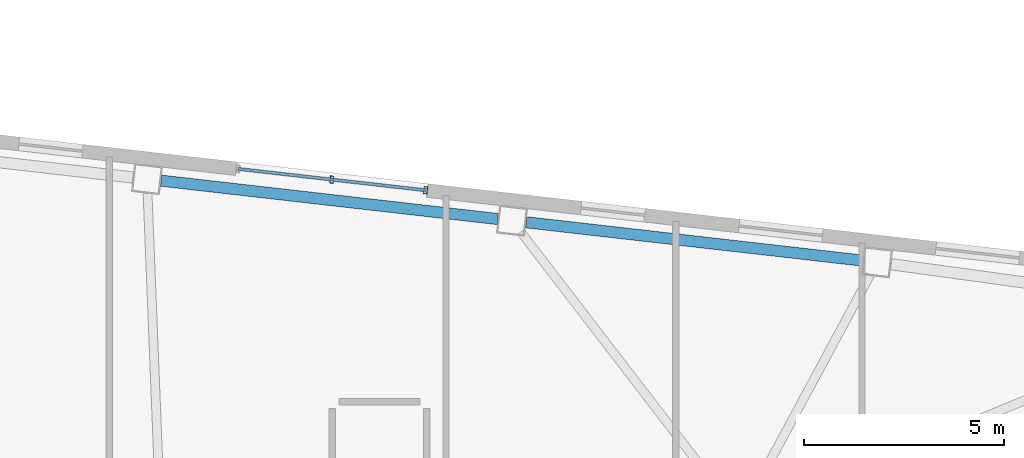
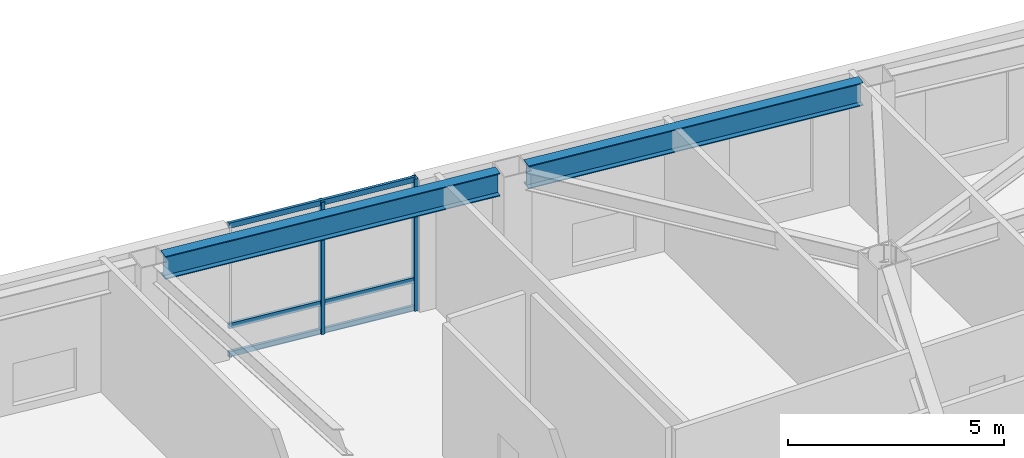
# One storey, part 8 of 19: 5 members, 2 beams, 1 element without a shape of its own.
"""IFC4 building model written with IfcOpenShell, lengths in metres."""

from ifc_helpers import new_model, si_unit, direction, frame, origin, origin_2d, place, context, subcontext, project, spatial, hollow_rectangle, i_section, extrude, material, layer, layer_set, material_profile, profile_set, type_object, element, aggregate, save


model = new_model("IFC4")

# Units and contexts
model_context = context("Model", 3, precision=1e-05, world=origin(), true_north=direction((0.0, 1.0)))
body_context = subcontext(model_context, "Body", "Model", "MODEL_VIEW")
ifc_project = project(units=[si_unit("LENGTHUNIT", "METRE"), si_unit("AREAUNIT", "SQUARE_METRE"), si_unit("VOLUMEUNIT", "CUBIC_METRE"), si_unit("PLANEANGLEUNIT", "RADIAN"), si_unit("MASSUNIT", "GRAM", prefix="KILO")], contexts=[model_context])

# Site, building, storey
site_placement = place(None, origin())
site = spatial("IfcSite", under=ifc_project, at=site_placement, CompositionType="ELEMENT")
building_placement = place(site_placement, origin())
building = spatial("IfcBuilding", under=site, at=building_placement, Name="Tavrogorsk Clinical Tower", CompositionType="ELEMENT")
storey_placement = place(building_placement, frame((0.0, 0.0, 97.39990234375)))
storey = spatial("IfcBuildingStorey", under=building, at=storey_placement, Name="L21", CompositionType="ELEMENT", Elevation=97.39990234375)

# Curtain wall, members
ifc_material_1 = material(Name="Anodised aluminium and triple IGU glazing", Category="aluminium")
ifc_layer = layer(ifc_material_1, 0.179931640625)
ifc_layer_set = layer_set([ifc_layer], Name="Anodised aluminium and triple IGU glazing")
curtain_wall_type = type_object("IfcCurtainWallType", Name="CW2_NorthSlot", PredefinedType="NOTDEFINED", material=ifc_layer_set)
curtain_wall_placement = place(storey_placement, origin())
curtain_wall = element("IfcCurtainWall", 1, at=curtain_wall_placement, inside=storey, type_object=curtain_wall_type, Name="L21 Curtain Wall CW-L21-N-SLOT-2", PredefinedType="NOTDEFINED")
ifc_material_2 = material(Name="Anodised aluminium alloy AW-6060", Category="aluminium")
ifc_material_profile_1 = material_profile(ifc_material_2, hollow_rectangle(XDim=0.090087890625, YDim=0.179931640625, WallThickness=0.00634765625, at=origin_2d()), Name="RHS-180x90x6.3")
ifc_profile_set_1 = profile_set([ifc_material_profile_1], Name="Anodised aluminium alloy AW-6060")
member_type_1 = type_object("IfcMemberType", Name="CwMullion_180x90", PredefinedType="MULLION", material=ifc_profile_set_1)
member_1_placement = place(storey_placement, frame((16.650146484375, 21.36572265625, 0.0), z_axis=(0.0, 0.0, 1.0), x_axis=(-0.993571855603, 0.11320321441, 0.0)))
member_1 = element("IfcMember", 2, at=member_1_placement, type_object=member_type_1, Name="CW-L21-N-SLOT-2 Mullion 1", PredefinedType="MULLION", context=body_context, shape_type="SweptSolid", body=[
    extrude(hollow_rectangle(XDim=0.090087890625, YDim=0.179931640625, WallThickness=0.00634765625, at=origin_2d()), origin(), (0.0, 0.0, 1.0), 3.739990234375),
])
member_2_placement = place(storey_placement, frame((14.306396484375, 21.6328125, 0.0), z_axis=(0.0, 0.0, 1.0), x_axis=(-0.993571855603, 0.11320321441, 0.0)))
member_2 = element("IfcMember", 3, at=member_2_placement, type_object=member_type_1, Name="CW-L21-N-SLOT-2 Mullion 2", PredefinedType="MULLION", context=body_context, shape_type="SweptSolid", body=[
    extrude(hollow_rectangle(XDim=0.090087890625, YDim=0.179931640625, WallThickness=0.00634765625, at=origin_2d()), origin(), (0.0, 0.0, 1.0), 3.739990234375),
])
ifc_material_3 = material(Name="Anodised aluminium alloy AW-6060", Category="aluminium")
ifc_material_profile_2 = material_profile(ifc_material_3, hollow_rectangle(XDim=0.074951171875, YDim=0.14990234375, WallThickness=0.0048828125, at=origin_2d()), Name="RHS-150x75x5")
ifc_profile_set_2 = profile_set([ifc_material_profile_2], Name="Anodised aluminium alloy AW-6060")
member_type_2 = type_object("IfcMemberType", Name="CwTransom_150x75", PredefinedType="USERDEFINED", material=ifc_profile_set_2)
member_3_placement = place(storey_placement, frame((16.650146484375, 21.36572265625, 0.050048828125), z_axis=(-0.993569315854, 0.113225503286, 0.0), x_axis=(-0.113225503286, -0.993569315854, 0.0)))
member_3 = element("IfcMember", 4, at=member_3_placement, type_object=member_type_2, Name="CW-L21-N-SLOT-2 Transom 1", ObjectType="TRANSOM", PredefinedType="USERDEFINED", context=body_context, shape_type="SweptSolid", body=[
    extrude(hollow_rectangle(XDim=0.074951171875, YDim=0.14990234375, WallThickness=0.0048828125, at=origin_2d()), origin(), (0.0, 0.0, 1.0), 4.7177734375),
])
member_4_placement = place(storey_placement, frame((16.650146484375, 21.36572265625, 0.85009765625), z_axis=(-0.993569315854, 0.113225503286, 0.0), x_axis=(-0.113225503286, -0.993569315854, 0.0)))
member_4 = element("IfcMember", 5, at=member_4_placement, type_object=member_type_2, Name="CW-L21-N-SLOT-2 Transom 2", ObjectType="TRANSOM", PredefinedType="USERDEFINED", context=body_context, shape_type="SweptSolid", body=[
    extrude(hollow_rectangle(XDim=0.074951171875, YDim=0.14990234375, WallThickness=0.0048828125, at=origin_2d()), origin(), (0.0, 0.0, 1.0), 4.7177734375),
])
member_5_placement = place(storey_placement, frame((16.650146484375, 21.36572265625, 3.690185546875), z_axis=(-0.993569315854, 0.113225503286, 0.0), x_axis=(-0.113225503286, -0.993569315854, 0.0)))
member_5 = element("IfcMember", 6, at=member_5_placement, type_object=member_type_2, Name="CW-L21-N-SLOT-2 Transom 3", ObjectType="TRANSOM", PredefinedType="USERDEFINED", context=body_context, shape_type="SweptSolid", body=[
    extrude(hollow_rectangle(XDim=0.074951171875, YDim=0.14990234375, WallThickness=0.0048828125, at=origin_2d()), origin(), (0.0, 0.0, 1.0), 4.7177734375),
])
aggregate(curtain_wall, [member_1, member_2, member_3, member_4, member_5])

# Beams
ifc_material_4 = material(Name="Structural steel S390", Category="steel")
ifc_material_profile_3 = material_profile(ifc_material_4, i_section(OverallWidth=0.280029296875, OverallDepth=0.64990234375, WebThickness=0.01611328125, FlangeThickness=0.02490234375, at=origin_2d()), Name="B-650x280x16x25")
ifc_profile_set_3 = profile_set([ifc_material_profile_3], Name="Structural steel S390")
beam_type = type_object("IfcBeamType", Name="SpandrelBeam_B650", PredefinedType="SPANDREL", material=ifc_profile_set_3)
beam_1_placement = place(storey_placement, frame((27.5703125, 19.608154296875, 3.4150390625), z_axis=(-0.993569819641, 0.113221082395, 0.0), x_axis=(-0.113221082395, -0.993569819641, 0.0)))
element("IfcBeam", 7, at=beam_1_placement, inside=storey, type_object=beam_type, Name="L21 Perimeter Spandrel N2-N3", PredefinedType="SPANDREL", context=body_context, shape_type="SweptSolid", body=[
    extrude(i_section(OverallWidth=0.280029296875, OverallDepth=0.64990234375, WebThickness=0.01611328125, FlangeThickness=0.02490234375, at=origin_2d()), origin(), (0.0, 0.0, 1.0), 8.46142578125),
])
beam_2_placement = place(storey_placement, frame((18.451904296875, 20.647216796875, 3.4150390625), z_axis=(-0.99357232562, 0.113199089054, 0.0), x_axis=(-0.113199089054, -0.99357232562, 0.0)))
element("IfcBeam", 8, at=beam_2_placement, inside=storey, type_object=beam_type, Name="L21 Perimeter Spandrel N3-N4", PredefinedType="SPANDREL", context=body_context, shape_type="SweptSolid", body=[
    extrude(i_section(OverallWidth=0.280029296875, OverallDepth=0.64990234375, WebThickness=0.01611328125, FlangeThickness=0.02490234375, at=origin_2d()), origin(), (0.0, 0.0, 1.0), 8.4609375),
])

save(model, "model.ifc")
